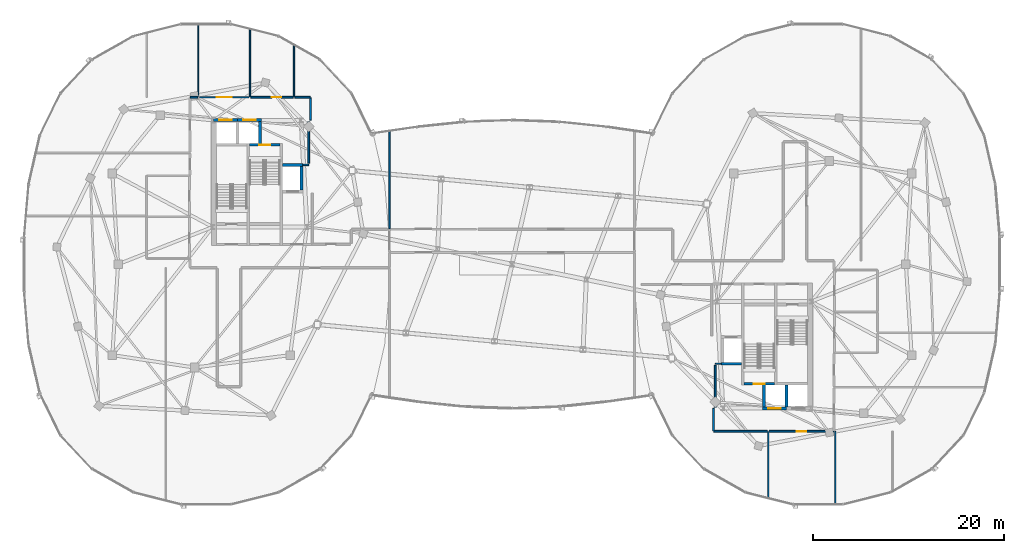
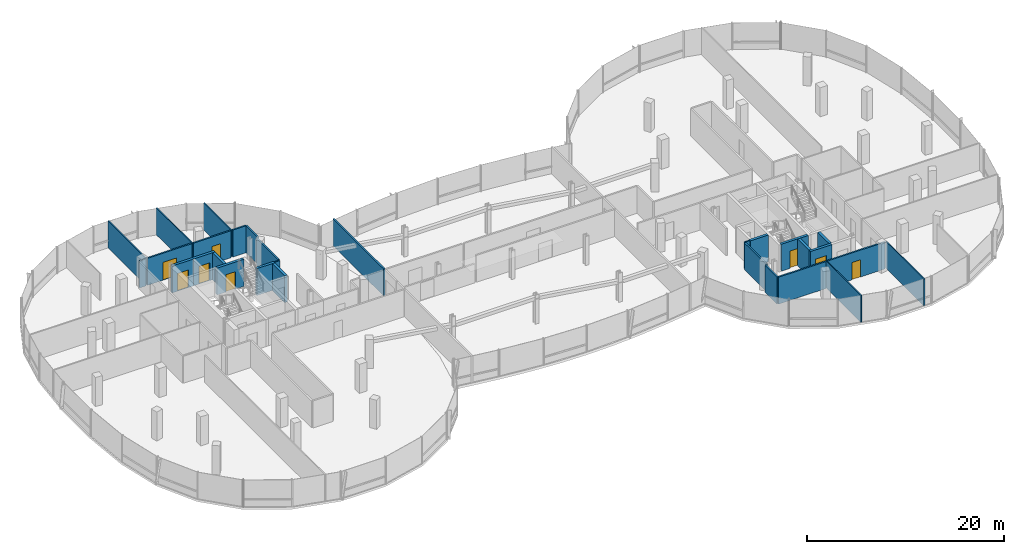
# One storey, part 15 of 25: 29 walls, 8 doors, 8 openings.
"""IFC4 building model written with IfcOpenShell, lengths in metres."""

from ifc_helpers import new_model, si_unit, direction, frame, frame_2d, origin, place, context, subcontext, project, spatial, rectangle, extrude, material, layer, layer_set, type_object, element, fill, save


model = new_model("IFC4")

# Units and contexts
model_context = context("Model", 3, precision=1e-05, world=origin(), true_north=direction((0.0, 1.0)))
body_context = subcontext(model_context, "Body", "Model", "MODEL_VIEW")
ifc_project = project(units=[si_unit("LENGTHUNIT", "METRE"), si_unit("AREAUNIT", "SQUARE_METRE"), si_unit("VOLUMEUNIT", "CUBIC_METRE"), si_unit("PLANEANGLEUNIT", "RADIAN"), si_unit("MASSUNIT", "GRAM", prefix="KILO"), si_unit("THERMODYNAMICTEMPERATUREUNIT", "KELVIN"), si_unit("POWERUNIT", "WATT")], contexts=[model_context])

# Site, building, storey
site_placement = place(None, origin())
site = spatial("IfcSite", under=ifc_project, at=site_placement, CompositionType="ELEMENT")
building_placement = place(site_placement, origin())
building = spatial("IfcBuilding", under=site, at=building_placement, Name="Cundina Bronze Exchange", CompositionType="ELEMENT")
storey_placement = place(building_placement, frame((0.0, 0.0, 239.60009765625)))
storey = spatial("IfcBuildingStorey", under=building, at=storey_placement, Name="L63", CompositionType="ELEMENT", Elevation=239.60009765625)

# Walls
ifc_material_1 = material(Name="Gypsum Fireboard Partition EI120")
ifc_layer_1 = layer(ifc_material_1, 0.179931640625, Name="Gypsum Fireboard Partition EI120")
ifc_layer_set_1 = layer_set([ifc_layer_1], Name="Gypsum Fireboard Partition EI120")
wall_type_1 = type_object("IfcWallType", Name="WL-COR-180", PredefinedType="PARTITIONING", material=ifc_layer_set_1)
wall_1_placement = place(storey_placement, frame((-21.25, 10.570068359375, 0.0), z_axis=(0.0, 0.0, 1.0), x_axis=(0.0, 1.0, 0.0)))
element("IfcWall", 1, at=wall_1_placement, inside=storey, type_object=wall_type_1, Name="L63 Interior Partition 002", PredefinedType="PARTITIONING", context=body_context, shape_type="SweptSolid", body=[
    extrude(rectangle(XDim=4.35986328125, YDim=0.179931640625, at=frame_2d((2.179931640625, 0.0))), origin(), (0.0, 0.0, 1.0), 3.33984375),
])
wall_2_placement = place(storey_placement, frame((-21.080078125, 15.071533203125, 0.0), z_axis=(0.0, 0.0, 1.0), x_axis=(0.0, 1.0, 0.0)))
element("IfcWall", 2, at=wall_2_placement, inside=storey, type_object=wall_type_1, Name="L63 Interior Partition 027", PredefinedType="PARTITIONING", context=body_context, shape_type="SweptSolid", body=[
    extrude(rectangle(XDim=2.35693359375, YDim=0.179931640625, at=frame_2d((1.178466796875, 0.0))), origin(), (0.0, 0.0, 1.0), 3.33984375),
])
wall_3_placement = place(storey_placement, frame((-21.12158203125, 17.469970703125, 0.0), z_axis=(0.0, 0.0, 1.0), x_axis=(-1.0, 0.0, 0.0)))
element("IfcWall", 3, at=wall_3_placement, inside=storey, type_object=wall_type_1, Name="L63 Interior Partition 028", PredefinedType="PARTITIONING", context=body_context, shape_type="SweptSolid", body=[
    extrude(rectangle(XDim=1.58837890625, YDim=0.179931640625, at=frame_2d((0.794189453125, 0.0))), origin(), (0.0, 0.0, 1.0), 3.33984375),
])
wall_4_placement = place(storey_placement, frame((-32.889892578125, 17.469970703125, 0.0), z_axis=(0.0, 0.0, 1.0), x_axis=(-1.0, 0.0, 0.0)))
element("IfcWall", 4, at=wall_4_placement, inside=storey, type_object=wall_type_1, Name="L63 Interior Partition 031", PredefinedType="PARTITIONING", context=body_context, shape_type="SweptSolid", body=[
    extrude(rectangle(XDim=0.738525390625, YDim=0.179931640625, at=frame_2d((0.369140625, 0.0))), origin(), (0.0, 0.0, 1.0), 3.33984375),
])

# Wall, opening, door
wall_5_placement = place(storey_placement, frame((-22.889892578125, 17.469970703125, 0.0), z_axis=(0.0, 0.0, 1.0), x_axis=(-1.0, 0.0, 0.0)))
wall_5 = element("IfcWall", 5, at=wall_5_placement, inside=storey, type_object=wall_type_1, Name="L63 Interior Partition 032", PredefinedType="PARTITIONING", context=body_context, shape_type="SweptSolid", body=[
    extrude(rectangle(XDim=4.420166015625, YDim=0.179931640625, at=frame_2d((2.2099609375, 0.0))), origin(), (0.0, 0.0, 1.0), 3.33984375),
])
opening_1_placement = place(wall_5_placement, frame((1.23291015625, 0.0, 0.0)))
opening_1 = element("IfcOpeningElement", 6, at=opening_1_placement, cuts=wall_5, Name="Opening DO-01", PredefinedType="OPENING", context=body_context, shape_type="SweptSolid", body=[
    extrude(rectangle(XDim=1.0, YDim=2.14990234375, at=frame_2d((0.5, 1.074951171875))), frame((0.0, 0.099853515625, 0.0), z_axis=(0.0, -1.0, 0.0), x_axis=(1.0, 0.0, 0.0)), (0.0, 0.0, 1.0), 0.199951171875),
])
ifc_material_2 = material(Name="Solid Andean Oak Timber Grade A", Category="wood")
door_type_1 = type_object("IfcDoorType", Name="DR-OFF-1000", OperationType="NOTDEFINED", PredefinedType="DOOR", material=ifc_material_2)
door_1_placement = place(opening_1_placement, origin())
door_1 = element("IfcDoor", 7, at=door_1_placement, inside=storey, type_object=door_type_1, Name="L63 Interior Door 032", OperationType="SINGLE_SWING_RIGHT", OverallHeight=2.14990234375, OverallWidth=1.0, PredefinedType="DOOR", context=body_context, shape_type="SweptSolid", body=[
    extrude(rectangle(XDim=1.0, YDim=2.14990234375, at=frame_2d((0.5, 1.074951171875))), frame((0.0, 0.02490234375, 0.0), z_axis=(0.0, -1.0, 0.0), x_axis=(1.0, 0.0, 0.0)), (0.0, 0.0, 1.0), 0.050048828125),
])
fill(opening_1, door_1)

wall_6_placement = place(storey_placement, frame((-27.489990234375, 17.469970703125, 0.0), z_axis=(0.0, 0.0, 1.0), x_axis=(-1.0, 0.0, 0.0)))
wall_6 = element("IfcWall", 8, at=wall_6_placement, inside=storey, type_object=wall_type_1, Name="L63 Interior Partition 033", PredefinedType="PARTITIONING", context=body_context, shape_type="SweptSolid", body=[
    extrude(rectangle(XDim=5.219970703125, YDim=0.179931640625, at=frame_2d((2.60986328125, 0.0))), origin(), (0.0, 0.0, 1.0), 3.33984375),
])
opening_2_placement = place(wall_6_placement, frame((1.81005859375, 0.0, 0.0)))
opening_2 = element("IfcOpeningElement", 9, at=opening_2_placement, cuts=wall_6, Name="Opening DO-02", PredefinedType="OPENING", context=body_context, shape_type="SweptSolid", body=[
    extrude(rectangle(XDim=1.60009765625, YDim=2.199951171875, at=frame_2d((0.800048828125, 1.10009765625))), frame((0.0, 0.099853515625, 0.0), z_axis=(0.0, -1.0, 0.0), x_axis=(1.0, 0.0, 0.0)), (0.0, 0.0, 1.0), 0.199951171875),
])
door_type_2 = type_object("IfcDoorType", Name="DR-TRD-1600", OperationType="NOTDEFINED", PredefinedType="DOOR", material=ifc_material_2)
door_2_placement = place(opening_2_placement, origin())
door_2 = element("IfcDoor", 10, at=door_2_placement, inside=storey, type_object=door_type_2, Name="L63 Interior Door 033", OperationType="SINGLE_SWING_RIGHT", OverallHeight=2.199951171875, OverallWidth=1.60009765625, PredefinedType="DOOR", context=body_context, shape_type="SweptSolid", body=[
    extrude(rectangle(XDim=1.60009765625, YDim=2.199951171875, at=frame_2d((0.800048828125, 1.10009765625))), frame((0.0, 0.02490234375, 0.0), z_axis=(0.0, -1.0, 0.0), x_axis=(1.0, 0.0, 0.0)), (0.0, 0.0, 1.0), 0.050048828125),
])
fill(opening_2, door_2)

# Wall
wall_7_placement = place(storey_placement, frame((21.25, -14.929931640625, 0.0), z_axis=(0.0, 0.0, 1.0), x_axis=(0.0, 1.0, 0.0)))
element("IfcWall", 11, at=wall_7_placement, inside=storey, type_object=wall_type_1, Name="L63 Interior Partition 035", PredefinedType="PARTITIONING", context=body_context, shape_type="SweptSolid", body=[
    extrude(rectangle(XDim=4.35986328125, YDim=0.179931640625, at=frame_2d((2.179931640625, 0.0))), origin(), (0.0, 0.0, 1.0), 3.33984375),
])

# Wall, opening, door
wall_8_placement = place(storey_placement, frame((26.889892578125, -17.469970703125, 0.0), z_axis=(0.0, 0.0, 1.0), x_axis=(1.0, 0.0, 0.0)))
wall_8 = element("IfcWall", 12, at=wall_8_placement, inside=storey, type_object=wall_type_1, Name="L63 Interior Partition 051", PredefinedType="PARTITIONING", context=body_context, shape_type="SweptSolid", body=[
    extrude(rectangle(XDim=6.738525390625, YDim=0.179931640625, at=frame_2d((3.369140625, 0.0))), origin(), (0.0, 0.0, 1.0), 3.33984375),
])
opening_3_placement = place(wall_8_placement, frame((2.869384765625, 0.0, 0.0)))
opening_3 = element("IfcOpeningElement", 13, at=opening_3_placement, cuts=wall_8, Name="Opening DO-01", PredefinedType="OPENING", context=body_context, shape_type="SweptSolid", body=[
    extrude(rectangle(XDim=1.0, YDim=2.14990234375, at=frame_2d((0.5, 1.074951171875))), frame((0.0, 0.099853515625, 0.0), z_axis=(0.0, -1.0, 0.0), x_axis=(1.0, 0.0, 0.0)), (0.0, 0.0, 1.0), 0.199951171875),
])
door_3_placement = place(opening_3_placement, origin())
door_3 = element("IfcDoor", 14, at=door_3_placement, inside=storey, type_object=door_type_1, Name="L63 Interior Door 051", OperationType="SINGLE_SWING_RIGHT", OverallHeight=2.14990234375, OverallWidth=1.0, PredefinedType="DOOR", context=body_context, shape_type="SweptSolid", body=[
    extrude(rectangle(XDim=1.0, YDim=2.14990234375, at=frame_2d((0.5, 1.074951171875))), frame((0.0, 0.02490234375, 0.0), z_axis=(0.0, -1.0, 0.0), x_axis=(1.0, 0.0, 0.0)), (0.0, 0.0, 1.0), 0.050048828125),
])
fill(opening_3, door_3)

# Walls
wall_9_placement = place(storey_placement, frame((21.12158203125, -17.469970703125, 0.0), z_axis=(0.0, 0.0, 1.0), x_axis=(1.0, 0.0, 0.0)))
element("IfcWall", 15, at=wall_9_placement, inside=storey, type_object=wall_type_1, Name="L63 Interior Partition 054", PredefinedType="PARTITIONING", context=body_context, shape_type="SweptSolid", body=[
    extrude(rectangle(XDim=5.58837890625, YDim=0.179931640625, at=frame_2d((2.794189453125, 0.0))), origin(), (0.0, 0.0, 1.0), 3.33984375),
])
wall_10_placement = place(storey_placement, frame((21.080078125, -15.071533203125, 0.0), z_axis=(0.0, 0.0, 1.0), x_axis=(0.0, -1.0, 0.0)))
element("IfcWall", 16, at=wall_10_placement, inside=storey, type_object=wall_type_1, Name="L63 Interior Partition 055", PredefinedType="PARTITIONING", context=body_context, shape_type="SweptSolid", body=[
    extrude(rectangle(XDim=2.35693359375, YDim=0.179931640625, at=frame_2d((1.178466796875, 0.0))), origin(), (0.0, 0.0, 1.0), 3.33984375),
])
wall_11_placement = place(storey_placement, frame((-12.800048828125, 3.739990234375, 0.0), z_axis=(0.0, 0.0, 1.0), x_axis=(0.0, 1.0, 0.0)))
element("IfcWall", 17, at=wall_11_placement, inside=storey, type_object=wall_type_1, Name="L63 Interior Partition 071", PredefinedType="PARTITIONING", context=body_context, shape_type="SweptSolid", body=[
    extrude(rectangle(XDim=10.3037109375, YDim=0.179931640625, at=frame_2d((5.15185546875, 0.0))), origin(), (0.0, 0.0, 1.0), 3.33984375),
])
ifc_material_3 = material(Name="Gypsum Acoustic Partition EI60")
ifc_layer_2 = layer(ifc_material_3, 0.125, Name="Gypsum Acoustic Partition EI60")
ifc_layer_set_2 = layer_set([ifc_layer_2], Name="Gypsum Acoustic Partition EI60")
wall_type_2 = type_object("IfcWallType", Name="WL-OFF-125", PredefinedType="PARTITIONING", material=ifc_layer_set_2)
wall_12_placement = place(storey_placement, frame((-32.800048828125, 17.5, 0.0), z_axis=(0.0, 0.0, 1.0), x_axis=(0.0, 1.0, 0.0)))
element("IfcWall", 18, at=wall_12_placement, inside=storey, type_object=wall_type_2, Name="L63 Interior Partition 015", PredefinedType="PARTITIONING", context=body_context, shape_type="SweptSolid", body=[
    extrude(rectangle(XDim=7.68994140625, YDim=0.125, at=frame_2d((3.844970703125, 0.0))), origin(), (0.0, 0.0, 1.0), 3.33984375),
])
wall_13_placement = place(storey_placement, frame((-27.39990234375, 17.5, 0.0), z_axis=(0.0, 0.0, 1.0), x_axis=(0.0, 1.0, 0.0)))
element("IfcWall", 19, at=wall_13_placement, inside=storey, type_object=wall_type_2, Name="L63 Interior Partition 016", PredefinedType="PARTITIONING", context=body_context, shape_type="SweptSolid", body=[
    extrude(rectangle(XDim=7.19287109375, YDim=0.125, at=frame_2d((3.596435546875, 0.0))), origin(), (0.0, 0.0, 1.0), 3.33984375),
])
wall_14_placement = place(storey_placement, frame((-22.800048828125, 17.5, 0.0), z_axis=(0.0, 0.0, 1.0), x_axis=(0.0, 1.0, 0.0)))
element("IfcWall", 20, at=wall_14_placement, inside=storey, type_object=wall_type_2, Name="L63 Interior Partition 017", PredefinedType="PARTITIONING", context=body_context, shape_type="SweptSolid", body=[
    extrude(rectangle(XDim=5.5419921875, YDim=0.125, at=frame_2d((2.77099609375, 0.0))), origin(), (0.0, 0.0, 1.0), 3.33984375),
])
wall_15_placement = place(storey_placement, frame((26.800048828125, -24.541748046875, 0.0), z_axis=(0.0, 0.0, 1.0), x_axis=(0.0, 1.0, 0.0)))
element("IfcWall", 21, at=wall_15_placement, inside=storey, type_object=wall_type_2, Name="L63 Interior Partition 048", PredefinedType="PARTITIONING", context=body_context, shape_type="SweptSolid", body=[
    extrude(rectangle(XDim=7.041748046875, YDim=0.125, at=frame_2d((3.52099609375, 0.0))), origin(), (0.0, 0.0, 1.0), 3.33984375),
])
wall_16_placement = place(storey_placement, frame((33.800048828125, -25.18994140625, 0.0), z_axis=(0.0, 0.0, 1.0), x_axis=(0.0, 1.0, 0.0)))
element("IfcWall", 22, at=wall_16_placement, inside=storey, type_object=wall_type_2, Name="L63 Interior Partition 049", PredefinedType="PARTITIONING", context=body_context, shape_type="SweptSolid", body=[
    extrude(rectangle(XDim=7.719970703125, YDim=0.125, at=frame_2d((3.85986328125, 0.0))), origin(), (0.0, 0.0, 1.0), 3.33984375),
])

# Wall, opening, door
ifc_material_4 = material(Name="Concrete C50/60", Category="concrete")
ifc_layer_3 = layer(ifc_material_4, 0.300048828125, Name="Concrete C50/60", Category="concrete")
ifc_layer_set_3 = layer_set([ifc_layer_3], Name="Concrete C50/60")
wall_type_3 = type_object("IfcWallType", Name="WL-SHFT-300", PredefinedType="SHEAR", material=ifc_layer_set_3)
wall_17_placement = place(storey_placement, frame((-27.43994140625, 12.5, 0.0), z_axis=(0.0, 0.0, 1.0), x_axis=(1.0, 0.0, 0.0)))
wall_17 = element("IfcWall", 23, at=wall_17_placement, inside=storey, type_object=wall_type_3, Name="L63 Stair W2 Landing Wall", PredefinedType="SHEAR", context=body_context, shape_type="SweptSolid", body=[
    extrude(rectangle(XDim=3.159912109375, YDim=0.300048828125, at=frame_2d((1.580078125, 0.0))), origin(), (0.0, 0.0, 1.0), 3.33984375),
])
opening_4_placement = place(wall_17_placement, frame((1.030029296875, 0.0, 0.0)))
opening_4 = element("IfcOpeningElement", 24, at=opening_4_placement, cuts=wall_17, Name="Opening DS-01", PredefinedType="OPENING", context=body_context, shape_type="SweptSolid", body=[
    extrude(rectangle(XDim=1.10009765625, YDim=2.14990234375, at=frame_2d((0.550048828125, 1.074951171875))), frame((0.0, 0.159912109375, 0.0), z_axis=(0.0, -1.0, 0.0), x_axis=(1.0, 0.0, 0.0)), (0.0, 0.0, 1.0), 0.320068359375),
])
ifc_material_5 = material(Name="Steel ASTM A36 Painted", Category="steel")
door_type_3 = type_object("IfcDoorType", Name="DR-STR-1100", OperationType="NOTDEFINED", PredefinedType="DOOR", material=ifc_material_5)
door_4_placement = place(opening_4_placement, origin())
door_4 = element("IfcDoor", 25, at=door_4_placement, inside=storey, type_object=door_type_3, Name="L63 Smokeproof Stair W2 Door", OperationType="SINGLE_SWING_LEFT", OverallHeight=2.14990234375, OverallWidth=1.10009765625, PredefinedType="DOOR", context=body_context, shape_type="SweptSolid", body=[
    extrude(rectangle(XDim=1.10009765625, YDim=2.14990234375, at=frame_2d((0.550048828125, 1.074951171875))), frame((0.0, 0.02490234375, 0.0), z_axis=(0.0, -1.0, 0.0), x_axis=(1.0, 0.0, 0.0)), (0.0, 0.0, 1.0), 0.050048828125),
])
fill(opening_4, door_4)

# Walls
wall_18_placement = place(storey_placement, frame((-23.97998046875, 10.39990234375, 0.0), z_axis=(0.0, 0.0, 1.0), x_axis=(1.0, 0.0, 0.0)))
element("IfcWall", 26, at=wall_18_placement, inside=storey, type_object=wall_type_3, Name="L63 FFL-W Hoistway Back Wall", PredefinedType="SHEAR", context=body_context, shape_type="SweptSolid", body=[
    extrude(rectangle(XDim=2.10009765625, YDim=0.300048828125, at=frame_2d((1.050048828125, 0.0))), origin(), (0.0, 0.0, 1.0), 3.33984375),
])
wall_19_placement = place(storey_placement, frame((-22.030029296875, 7.75, 0.0), z_axis=(0.0, 0.0, 1.0), x_axis=(0.0, 1.0, 0.0)))
element("IfcWall", 27, at=wall_19_placement, inside=storey, type_object=wall_type_3, Name="L63 FFL-W Hoistway Side Wall", PredefinedType="SHEAR", context=body_context, shape_type="SweptSolid", body=[
    extrude(rectangle(XDim=2.5, YDim=0.300048828125, at=frame_2d((1.25, 0.0))), origin(), (0.0, 0.0, 1.0), 3.33984375),
])

# Wall, opening, door
wall_20_placement = place(storey_placement, frame((-31.199951171875, 15.10009765625, 0.0), z_axis=(0.0, 0.0, 1.0), x_axis=(1.0, 0.0, 0.0)))
wall_20 = element("IfcWall", 28, at=wall_20_placement, inside=storey, type_object=wall_type_3, Name="L63 PH-W1 Hoistway Front Wall", PredefinedType="SHEAR", context=body_context, shape_type="SweptSolid", body=[
    extrude(rectangle(XDim=2.5, YDim=0.300048828125, at=frame_2d((1.25, 0.0))), origin(), (0.0, 0.0, 1.0), 3.33984375),
])
opening_5_placement = place(wall_20_placement, frame((0.60009765625, 0.0, 0.0)))
opening_5 = element("IfcOpeningElement", 29, at=opening_5_placement, cuts=wall_20, Name="Opening LD-02", PredefinedType="OPENING", context=body_context, shape_type="SweptSolid", body=[
    extrude(rectangle(XDim=1.300048828125, YDim=2.199951171875, at=frame_2d((0.64990234375, 1.10009765625))), frame((0.0, 0.159912109375, 0.0), z_axis=(0.0, -1.0, 0.0), x_axis=(1.0, 0.0, 0.0)), (0.0, 0.0, 1.0), 0.320068359375),
])
door_type_4 = type_object("IfcDoorType", Name="DR-LND-1300", OperationType="NOTDEFINED", PredefinedType="TRAPDOOR", material=ifc_material_5)
door_5_placement = place(opening_5_placement, origin())
door_5 = element("IfcDoor", 30, at=door_5_placement, inside=storey, type_object=door_type_4, Name="L63 PH-W1 Sliding Landing Door", OperationType="SLIDING_TO_LEFT", OverallHeight=2.199951171875, OverallWidth=1.300048828125, PredefinedType="TRAPDOOR", context=body_context, shape_type="SweptSolid", body=[
    extrude(rectangle(XDim=1.300048828125, YDim=2.199951171875, at=frame_2d((0.64990234375, 1.10009765625))), frame((0.0, 0.02490234375, 0.0), z_axis=(0.0, -1.0, 0.0), x_axis=(1.0, 0.0, 0.0)), (0.0, 0.0, 1.0), 0.050048828125),
])
fill(opening_5, door_5)

wall_21_placement = place(storey_placement, frame((-28.699951171875, 15.10009765625, 0.0), z_axis=(0.0, 0.0, 1.0), x_axis=(1.0, 0.0, 0.0)))
wall_21 = element("IfcWall", 31, at=wall_21_placement, inside=storey, type_object=wall_type_3, Name="L63 PH-W2 Hoistway Front Wall", PredefinedType="SHEAR", context=body_context, shape_type="SweptSolid", body=[
    extrude(rectangle(XDim=2.5, YDim=0.300048828125, at=frame_2d((1.25, 0.0))), origin(), (0.0, 0.0, 1.0), 3.33984375),
])
opening_6_placement = place(wall_21_placement, frame((0.60009765625, 0.0, 0.0)))
opening_6 = element("IfcOpeningElement", 32, at=opening_6_placement, cuts=wall_21, Name="Opening LD-02", PredefinedType="OPENING", context=body_context, shape_type="SweptSolid", body=[
    extrude(rectangle(XDim=1.300048828125, YDim=2.199951171875, at=frame_2d((0.64990234375, 1.10009765625))), frame((0.0, 0.159912109375, 0.0), z_axis=(0.0, -1.0, 0.0), x_axis=(1.0, 0.0, 0.0)), (0.0, 0.0, 1.0), 0.320068359375),
])
door_6_placement = place(opening_6_placement, origin())
door_6 = element("IfcDoor", 33, at=door_6_placement, inside=storey, type_object=door_type_4, Name="L63 PH-W2 Sliding Landing Door", OperationType="SLIDING_TO_LEFT", OverallHeight=2.199951171875, OverallWidth=1.300048828125, PredefinedType="TRAPDOOR", context=body_context, shape_type="SweptSolid", body=[
    extrude(rectangle(XDim=1.300048828125, YDim=2.199951171875, at=frame_2d((0.64990234375, 1.10009765625))), frame((0.0, 0.02490234375, 0.0), z_axis=(0.0, -1.0, 0.0), x_axis=(1.0, 0.0, 0.0)), (0.0, 0.0, 1.0), 0.050048828125),
])
fill(opening_6, door_6)

# Wall
wall_22_placement = place(storey_placement, frame((-26.35009765625, 12.64990234375, 0.0), z_axis=(0.0, 0.0, 1.0), x_axis=(0.0, 1.0, 0.0)))
element("IfcWall", 34, at=wall_22_placement, inside=storey, type_object=wall_type_3, Name="L63 PH-W2 Hoistway Divider Wall", PredefinedType="SHEAR", context=body_context, shape_type="SweptSolid", body=[
    extrude(rectangle(XDim=2.300048828125, YDim=0.300048828125, at=frame_2d((1.14990234375, 0.0))), origin(), (0.0, 0.0, 1.0), 3.33984375),
])

# Wall, opening, door
wall_23_placement = place(storey_placement, frame((24.280029296875, -12.5, 0.0), z_axis=(0.0, 0.0, 1.0), x_axis=(1.0, 0.0, 0.0)))
wall_23 = element("IfcWall", 35, at=wall_23_placement, inside=storey, type_object=wall_type_3, Name="L63 Stair E2 Landing Wall", PredefinedType="SHEAR", context=body_context, shape_type="SweptSolid", body=[
    extrude(rectangle(XDim=3.159912109375, YDim=0.300048828125, at=frame_2d((1.580078125, 0.0))), origin(), (0.0, 0.0, 1.0), 3.33984375),
])
opening_7_placement = place(wall_23_placement, frame((1.030029296875, 0.0, 0.0)))
opening_7 = element("IfcOpeningElement", 36, at=opening_7_placement, cuts=wall_23, Name="Opening DS-01", PredefinedType="OPENING", context=body_context, shape_type="SweptSolid", body=[
    extrude(rectangle(XDim=1.10009765625, YDim=2.14990234375, at=frame_2d((0.550048828125, 1.074951171875))), frame((0.0, 0.159912109375, 0.0), z_axis=(0.0, -1.0, 0.0), x_axis=(1.0, 0.0, 0.0)), (0.0, 0.0, 1.0), 0.320068359375),
])
door_7_placement = place(opening_7_placement, origin())
door_7 = element("IfcDoor", 37, at=door_7_placement, inside=storey, type_object=door_type_3, Name="L63 Smokeproof Stair E2 Door", OperationType="SINGLE_SWING_RIGHT", OverallHeight=2.14990234375, OverallWidth=1.10009765625, PredefinedType="DOOR", context=body_context, shape_type="SweptSolid", body=[
    extrude(rectangle(XDim=1.10009765625, YDim=2.14990234375, at=frame_2d((0.550048828125, 1.074951171875))), frame((0.0, 0.02490234375, 0.0), z_axis=(0.0, -1.0, 0.0), x_axis=(1.0, 0.0, 0.0)), (0.0, 0.0, 1.0), 0.050048828125),
])
fill(opening_7, door_7)

# Walls
wall_24_placement = place(storey_placement, frame((21.8798828125, -10.39990234375, 0.0), z_axis=(0.0, 0.0, 1.0), x_axis=(1.0, 0.0, 0.0)))
element("IfcWall", 38, at=wall_24_placement, inside=storey, type_object=wall_type_3, Name="L63 FFL-E Hoistway Back Wall", PredefinedType="SHEAR", context=body_context, shape_type="SweptSolid", body=[
    extrude(rectangle(XDim=2.10009765625, YDim=0.300048828125, at=frame_2d((1.050048828125, 0.0))), origin(), (0.0, 0.0, 1.0), 3.33984375),
])
wall_25_placement = place(storey_placement, frame((28.699951171875, -14.949951171875, 0.0), z_axis=(0.0, 0.0, 1.0), x_axis=(0.0, 1.0, 0.0)))
element("IfcWall", 39, at=wall_25_placement, inside=storey, type_object=wall_type_3, Name="L63 PH-E1 Hoistway Divider Wall", PredefinedType="SHEAR", context=body_context, shape_type="SweptSolid", body=[
    extrude(rectangle(XDim=2.300048828125, YDim=0.300048828125, at=frame_2d((1.14990234375, 0.0))), origin(), (0.0, 0.0, 1.0), 3.33984375),
])

# Wall, opening, door
wall_26_placement = place(storey_placement, frame((26.199951171875, -15.10009765625, 0.0), z_axis=(0.0, 0.0, 1.0), x_axis=(1.0, 0.0, 0.0)))
wall_26 = element("IfcWall", 40, at=wall_26_placement, inside=storey, type_object=wall_type_3, Name="L63 PH-E2 Hoistway Front Wall", PredefinedType="SHEAR", context=body_context, shape_type="SweptSolid", body=[
    extrude(rectangle(XDim=2.5, YDim=0.300048828125, at=frame_2d((1.25, 0.0))), origin(), (0.0, 0.0, 1.0), 3.33984375),
])
opening_8_placement = place(wall_26_placement, frame((0.60009765625, 0.0, 0.0)))
opening_8 = element("IfcOpeningElement", 41, at=opening_8_placement, cuts=wall_26, Name="Opening LD-02", PredefinedType="OPENING", context=body_context, shape_type="SweptSolid", body=[
    extrude(rectangle(XDim=1.300048828125, YDim=2.199951171875, at=frame_2d((0.64990234375, 1.10009765625))), frame((0.0, 0.159912109375, 0.0), z_axis=(0.0, -1.0, 0.0), x_axis=(1.0, 0.0, 0.0)), (0.0, 0.0, 1.0), 0.320068359375),
])
door_8_placement = place(opening_8_placement, origin())
door_8 = element("IfcDoor", 42, at=door_8_placement, inside=storey, type_object=door_type_4, Name="L63 PH-E2 Sliding Landing Door", OperationType="SLIDING_TO_LEFT", OverallHeight=2.199951171875, OverallWidth=1.300048828125, PredefinedType="TRAPDOOR", context=body_context, shape_type="SweptSolid", body=[
    extrude(rectangle(XDim=1.300048828125, YDim=2.199951171875, at=frame_2d((0.64990234375, 1.10009765625))), frame((0.0, 0.02490234375, 0.0), z_axis=(0.0, -1.0, 0.0), x_axis=(1.0, 0.0, 0.0)), (0.0, 0.0, 1.0), 0.050048828125),
])
fill(opening_8, door_8)

# Walls
wall_27_placement = place(storey_placement, frame((26.35009765625, -14.949951171875, 0.0), z_axis=(0.0, 0.0, 1.0), x_axis=(0.0, 1.0, 0.0)))
element("IfcWall", 43, at=wall_27_placement, inside=storey, type_object=wall_type_3, Name="L63 PH-E2 Hoistway Divider Wall", PredefinedType="SHEAR", context=body_context, shape_type="SweptSolid", body=[
    extrude(rectangle(XDim=2.300048828125, YDim=0.300048828125, at=frame_2d((1.14990234375, 0.0))), origin(), (0.0, 0.0, 1.0), 3.33984375),
])
ifc_material_6 = material(Name="Moisture-Resistant Masonry Block Grade M15", Category="masonry")
ifc_layer_4 = layer(ifc_material_6, 0.139892578125, Name="Moisture-Resistant Masonry Block Grade M15", Category="masonry")
ifc_layer_set_4 = layer_set([ifc_layer_4], Name="Moisture-Resistant Masonry Block Grade M15")
wall_type_4 = type_object("IfcWallType", Name="WL-WET-140", PredefinedType="PARTITIONING", material=ifc_layer_set_4)
for number, where, z_axis, x_axis, name in (
    (44, (-21.860107421875, 10.39990234375, 0.0), (0.0, 0.0, 1.0), (1.0, 0.0, 0.0), "L63 Interior Partition 001"),
    (45, (21.27001953125, -10.39990234375, 0.0), (0.0, 0.0, 1.0), (1.0, 0.0, 0.0), "L63 Interior Partition 034"),
):
    element("IfcWall", number, at=place(storey_placement, frame(where, z_axis=z_axis, x_axis=x_axis)), inside=storey, type_object=wall_type_4, Name=name, PredefinedType="PARTITIONING", context=body_context, shape_type="SweptSolid", body=[
        extrude(rectangle(XDim=0.590087890625, YDim=0.139892578125, at=frame_2d((0.294921875, 0.0))), origin(), (0.0, 0.0, 1.0), 3.33984375),
    ])

save(model, "model.ifc")
